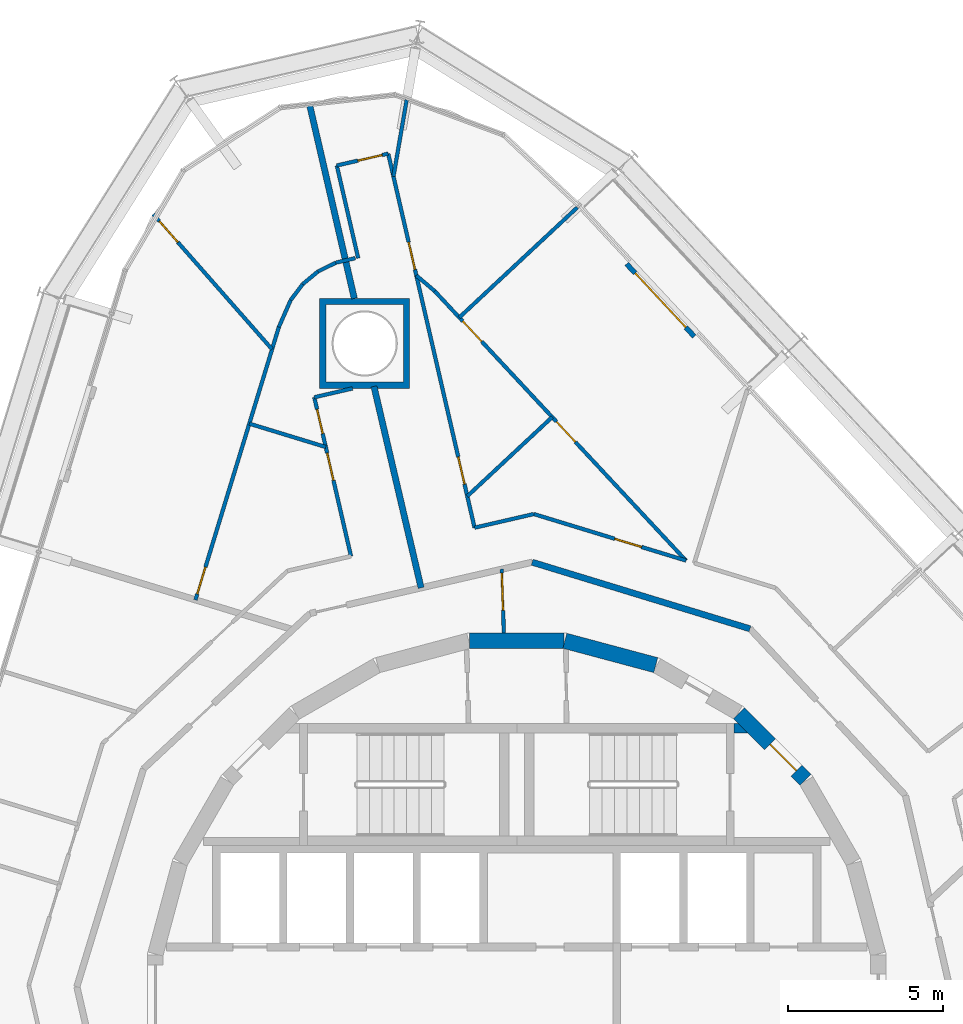
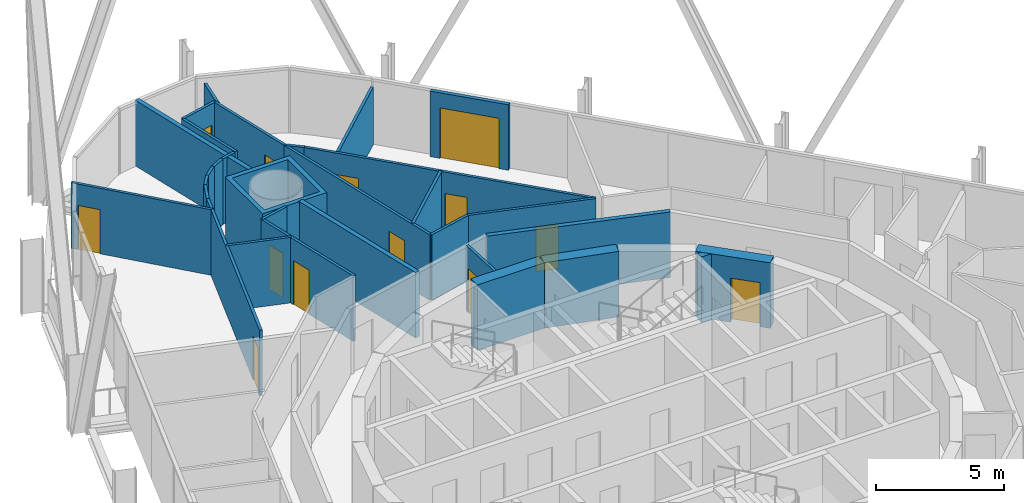
# One storey, part 16 of 18: 31 walls, 13 doors, 13 openings.
"""IFC4 building model written with IfcOpenShell, lengths in metres."""

from ifc_helpers import new_model, si_unit, direction, frame, frame_2d, origin, place, context, subcontext, project, spatial, polyline, rectangle, outline, extrude, material, layer, layer_set, type_object, element, fill, save


model = new_model("IFC4")

# Units and contexts
model_context = context("Model", 3, precision=1e-05, world=origin(), true_north=direction((0.0, 1.0)))
body_context = subcontext(model_context, "Body", "Model", "MODEL_VIEW")
ifc_project = project(units=[si_unit("LENGTHUNIT", "METRE"), si_unit("AREAUNIT", "SQUARE_METRE"), si_unit("VOLUMEUNIT", "CUBIC_METRE"), si_unit("PLANEANGLEUNIT", "RADIAN"), si_unit("MASSUNIT", "GRAM", prefix="KILO")], contexts=[model_context])

# Site, building, storey
site_placement = place(None, origin())
site = spatial("IfcSite", under=ifc_project, at=site_placement, CompositionType="ELEMENT")
building_placement = place(site_placement, origin())
building = spatial("IfcBuilding", under=site, at=building_placement, Name="Spindle Arch Residences", CompositionType="ELEMENT")
storey_placement = place(building_placement, frame((0.0, 0.0, 127.39990234375)))
storey = spatial("IfcBuildingStorey", under=building, at=storey_placement, Name="L31", CompositionType="ELEMENT", Elevation=127.39990234375)

# Wall, opening, door
ifc_material_1 = material(Name="Concrete C50/60", Category="concrete")
ifc_layer_1 = layer(ifc_material_1, 0.5)
ifc_layer_set_1 = layer_set([ifc_layer_1], Name="Core outline wall 500")
wall_type_1 = type_object("IfcWallType", Name="Core outline wall 500", PredefinedType="SHEAR", material=ifc_layer_set_1)
wall_1_placement = place(storey_placement, frame((9.30810546875, 7.163818359375, 0.0), z_axis=(0.0, 0.0, 1.0), x_axis=(-0.707106781187, 0.707106781187, 0.0)))
wall_1 = element("IfcWall", 1, at=wall_1_placement, inside=storey, type_object=wall_type_1, Name="Core outline wall 9", PredefinedType="SHEAR", context=body_context, shape_type="SweptSolid", body=[
    extrude(rectangle(XDim=3.032470703125, YDim=0.5, at=frame_2d((1.51611328125, 0.0))), origin(), (0.0, 0.0, 1.0), 3.1201171875),
])
opening_1_placement = place(wall_1_placement, frame((0.416259765625, 0.0, 0.0)))
opening_1 = element("IfcOpeningElement", 2, at=opening_1_placement, cuts=wall_1, Name="Opening R3B0-AD01", PredefinedType="OPENING", context=body_context, shape_type="SweptSolid", body=[
    extrude(rectangle(XDim=1.199951171875, YDim=2.10009765625, at=frame_2d((0.60009765625, 1.050048828125))), frame((0.0, 0.260009765625, 0.0), z_axis=(0.0, -1.0, 0.0), x_axis=(1.0, 0.0, 0.0)), (0.0, 0.0, 1.0), 0.52001953125),
])
ifc_material_2 = material(Name="Steel, fire-resisting door", Category="steel")
door_type_1 = type_object("IfcDoorType", Name="Stair airlock door 1200x2100", OperationType="SINGLE_SWING_LEFT", PredefinedType="DOOR", material=ifc_material_2)
door_1_placement = place(opening_1_placement, origin())
door_1 = element("IfcDoor", 3, at=door_1_placement, inside=storey, type_object=door_type_1, Name="Stair airlock door R3B0-AD01", OperationType="SINGLE_SWING_RIGHT", OverallHeight=2.10009765625, OverallWidth=1.199951171875, PredefinedType="DOOR", context=body_context, shape_type="SweptSolid", body=[
    extrude(rectangle(XDim=1.199951171875, YDim=2.10009765625, at=frame_2d((0.60009765625, 1.050048828125))), frame((0.0, 0.02490234375, 0.0), z_axis=(0.0, -1.0, 0.0), x_axis=(1.0, 0.0, 0.0)), (0.0, 0.0, 1.0), 0.050048828125),
])
fill(opening_1, door_1)

# Walls
for number, where, z_axis, x_axis, name in (
    (4, (4.479248046875, 10.858154296875, 0.0), (0.0, 0.0, 1.0), (-0.965948410781, 0.258734743916, 0.0), "Core outline wall 11"),
    (5, (1.516357421875, 11.647216796875, 0.0), (0.0, 0.0, 1.0), (-1.0, 0.0, 0.0), "Core outline wall 12"),
):
    element("IfcWall", number, at=place(storey_placement, frame(where, z_axis=z_axis, x_axis=x_axis)), inside=storey, type_object=wall_type_1, Name=name, PredefinedType="SHEAR", context=body_context, shape_type="SweptSolid", body=[
        extrude(rectangle(XDim=3.03271484375, YDim=0.5, at=frame_2d((1.516357421875, 0.0))), origin(), (0.0, 0.0, 1.0), 3.1201171875),
    ])

# Wall, opening, door
ifc_material_3 = material(Name="Plasterboard on steel studs", Category="steel")
ifc_layer_2 = layer(ifc_material_3, 0.1201171875)
ifc_layer_set_2 = layer_set([ifc_layer_2], Name="Corridor division wall 120")
wall_type_2 = type_object("IfcWallType", Name="Corridor division wall 120", PredefinedType="PARTITIONING", material=ifc_layer_set_2)
wall_2_placement = place(storey_placement, frame((-0.487060546875, 13.947998046875, 0.0), z_axis=(0.0, 0.0, 1.0), x_axis=(0.034859752231, -0.999392214135, 0.0)))
wall_2 = element("IfcWall", 6, at=wall_2_placement, inside=storey, type_object=wall_type_2, Name="Corridor division wall R3B0-W001", PredefinedType="PARTITIONING", context=body_context, shape_type="SweptSolid", body=[
    extrude(rectangle(XDim=2.052001953125, YDim=0.1201171875, at=frame_2d((1.02587890625, 0.0))), origin(), (0.0, 0.0, 1.0), 3.1201171875),
])
opening_2_placement = place(wall_2_placement, frame((0.125, 0.0, 0.0)))
opening_2 = element("IfcOpeningElement", 7, at=opening_2_placement, cuts=wall_2, Name="Opening R3B0-CD01", PredefinedType="OPENING", context=body_context, shape_type="SweptSolid", body=[
    extrude(rectangle(XDim=1.199951171875, YDim=2.10009765625, at=frame_2d((0.60009765625, 1.050048828125))), frame((0.0, 0.070068359375, 0.0), z_axis=(0.0, -1.0, 0.0), x_axis=(1.0, 0.0, 0.0)), (0.0, 0.0, 1.0), 0.14013671875),
])
ifc_material_4 = material(Name="Steel, fire-resisting door", Category="steel")
door_type_2 = type_object("IfcDoorType", Name="Corridor division door 1200x2100", OperationType="NOTDEFINED", PredefinedType="DOOR", material=ifc_material_4)
door_2_placement = place(opening_2_placement, origin())
door_2 = element("IfcDoor", 8, at=door_2_placement, inside=storey, type_object=door_type_2, Name="Corridor division door R3B0-CD01", OperationType="DOUBLE_DOOR_SINGLE_SWING", OverallHeight=2.10009765625, OverallWidth=1.199951171875, PredefinedType="DOOR", context=body_context, shape_type="SweptSolid", body=[
    extrude(rectangle(XDim=1.199951171875, YDim=2.10009765625, at=frame_2d((0.60009765625, 1.050048828125))), frame((0.0, 0.02490234375, 0.0), z_axis=(0.0, -1.0, 0.0), x_axis=(1.0, 0.0, 0.0)), (0.0, 0.0, 1.0), 0.050048828125),
])
fill(opening_2, door_2)

# Wall
ifc_material_5 = material(Name="Calcium silicate block, plastered")
ifc_layer_3 = layer(ifc_material_5, 0.199951171875)
ifc_layer_set_3 = layer_set([ifc_layer_3], Name="Corridor wall 200")
wall_type_3 = type_object("IfcWallType", Name="Corridor wall 200", PredefinedType="STANDARD", material=ifc_layer_set_3)
wall_3_placement = place(storey_placement, frame((7.51611328125, 12.028076171875, 0.0), z_axis=(0.0, 0.0, 1.0), x_axis=(-0.956306642771, 0.292365533182, 0.0)))
element("IfcWall", 9, at=wall_3_placement, inside=storey, type_object=wall_type_3, Name="Corridor wall R3B0-W006", PredefinedType="STANDARD", context=body_context, shape_type="SweptSolid", body=[
    extrude(rectangle(XDim=7.341796875, YDim=0.199951171875, at=frame_2d((3.6708984375, 0.0))), origin(), (0.0, 0.0, 1.0), 3.1201171875),
])

# Wall, opening, door
ifc_material_6 = material(Name="Plasterboard on steel studs", Category="steel")
ifc_layer_4 = layer(ifc_material_6, 0.1201171875)
ifc_layer_set_4 = layer_set([ifc_layer_4], Name="Flat partition 120")
wall_type_4 = type_object("IfcWallType", Name="Flat partition 120", PredefinedType="PARTITIONING", material=ifc_layer_set_4)
wall_4_placement = place(storey_placement, frame((5.45263671875, 14.2275390625, 0.0), z_axis=(0.0, 0.0, 1.0), x_axis=(-0.95630868333, 0.292358858576, 0.0)))
wall_4 = element("IfcWall", 10, at=wall_4_placement, inside=storey, type_object=wall_type_4, Name="Flat partition R3B0-W033", PredefinedType="PARTITIONING", context=body_context, shape_type="SweptSolid", body=[
    extrude(rectangle(XDim=5.12744140625, YDim=0.1201171875, at=frame_2d((2.563720703125, 0.0))), origin(), (0.0, 0.0, 1.0), 3.1201171875),
])
opening_3_placement = place(wall_4_placement, frame((1.5, 0.0, 0.0)))
opening_3 = element("IfcOpeningElement", 11, at=opening_3_placement, cuts=wall_4, Name="Opening R3B0-ID03", PredefinedType="OPENING", context=body_context, shape_type="SweptSolid", body=[
    extrude(rectangle(XDim=0.89990234375, YDim=2.10009765625, at=frame_2d((0.449951171875, 1.050048828125))), frame((0.0, 0.070068359375, 0.0), z_axis=(0.0, -1.0, 0.0), x_axis=(1.0, 0.0, 0.0)), (0.0, 0.0, 1.0), 0.14013671875),
])
ifc_material_7 = material(Name="Timber door set", Category="wood")
door_type_3 = type_object("IfcDoorType", Name="Room door 900x2100", OperationType="NOTDEFINED", PredefinedType="DOOR", material=ifc_material_7)
door_3_placement = place(opening_3_placement, origin())
door_3 = element("IfcDoor", 12, at=door_3_placement, inside=storey, type_object=door_type_3, Name="Room door R3B0-ID03", OperationType="SINGLE_SWING_RIGHT", OverallHeight=2.10009765625, OverallWidth=0.89990234375, PredefinedType="DOOR", context=body_context, shape_type="SweptSolid", body=[
    extrude(rectangle(XDim=0.89990234375, YDim=2.10009765625, at=frame_2d((0.449951171875, 1.050048828125))), frame((0.0, 0.02490234375, 0.0), z_axis=(0.0, -1.0, 0.0), x_axis=(1.0, 0.0, 0.0)), (0.0, 0.0, 1.0), 0.050048828125),
])
fill(opening_3, door_3)

# Wall
wall_5_placement = place(storey_placement, frame((0.54931640625, 15.7265625, 0.0), z_axis=(0.0, 0.0, 1.0), x_axis=(-0.974374390785, -0.22493231556, 0.0)))
element("IfcWall", 13, at=wall_5_placement, inside=storey, type_object=wall_type_4, Name="Flat partition R3B0-W034", PredefinedType="PARTITIONING", context=body_context, shape_type="SweptSolid", body=[
    extrude(rectangle(XDim=1.959228515625, YDim=0.1201171875, at=frame_2d((0.9794921875, 0.0))), origin(), (0.0, 0.0, 1.0), 3.1201171875),
])

# Wall, opening, door
wall_6_placement = place(storey_placement, frame((-1.359619140625, 15.285888671875, 0.0), z_axis=(0.0, 0.0, 1.0), x_axis=(-0.224974943676, 0.97436454919, 0.0)))
wall_6 = element("IfcWall", 14, at=wall_6_placement, inside=storey, type_object=wall_type_4, Name="Flat partition R3B0-W035", PredefinedType="PARTITIONING", context=body_context, shape_type="SweptSolid", body=[
    extrude(rectangle(XDim=8.3408203125, YDim=0.1201171875, at=frame_2d((4.17041015625, 0.0))), origin(), (0.0, 0.0, 1.0), 3.1201171875),
])
opening_4_placement = place(wall_6_placement, frame((1.441162109375, 0.0, 0.0)))
opening_4 = element("IfcOpeningElement", 15, at=opening_4_placement, cuts=wall_6, Name="Opening R3B0-ID05", PredefinedType="OPENING", context=body_context, shape_type="SweptSolid", body=[
    extrude(rectangle(XDim=0.89990234375, YDim=2.10009765625, at=frame_2d((0.449951171875, 1.050048828125))), frame((0.0, 0.070068359375, 0.0), z_axis=(0.0, -1.0, 0.0), x_axis=(1.0, 0.0, 0.0)), (0.0, 0.0, 1.0), 0.14013671875),
])
door_4_placement = place(opening_4_placement, origin())
door_4 = element("IfcDoor", 16, at=door_4_placement, inside=storey, type_object=door_type_3, Name="Room door R3B0-ID05", OperationType="SINGLE_SWING_RIGHT", OverallHeight=2.10009765625, OverallWidth=0.89990234375, PredefinedType="DOOR", context=body_context, shape_type="SweptSolid", body=[
    extrude(rectangle(XDim=0.89990234375, YDim=2.10009765625, at=frame_2d((0.449951171875, 1.050048828125))), frame((0.0, 0.02490234375, 0.0), z_axis=(0.0, -1.0, 0.0), x_axis=(1.0, 0.0, 0.0)), (0.0, 0.0, 1.0), 0.050048828125),
])
fill(opening_4, door_4)

wall_7_placement = place(storey_placement, frame((-3.236083984375, 23.412841796875, 0.0), z_axis=(0.0, 0.0, 1.0), x_axis=(-0.224934720918, 0.97437383551, 0.0)))
wall_7 = element("IfcWall", 17, at=wall_7_placement, inside=storey, type_object=wall_type_4, Name="Flat partition R3B0-W036", PredefinedType="PARTITIONING", context=body_context, shape_type="SweptSolid", body=[
    extrude(rectangle(XDim=4.030029296875, YDim=0.1201171875, at=frame_2d((2.01513671875, 0.0))), origin(), (0.0, 0.0, 1.0), 3.1201171875),
])
opening_5_placement = place(wall_7_placement, frame((0.199951171875, 0.0, 0.0)))
opening_5 = element("IfcOpeningElement", 18, at=opening_5_placement, cuts=wall_7, Name="Opening R3B0-ID04", PredefinedType="OPENING", context=body_context, shape_type="SweptSolid", body=[
    extrude(rectangle(XDim=0.89990234375, YDim=2.10009765625, at=frame_2d((0.449951171875, 1.050048828125))), frame((0.0, 0.070068359375, 0.0), z_axis=(0.0, -1.0, 0.0), x_axis=(1.0, 0.0, 0.0)), (0.0, 0.0, 1.0), 0.14013671875),
])
door_5_placement = place(opening_5_placement, origin())
door_5 = element("IfcDoor", 19, at=door_5_placement, inside=storey, type_object=door_type_3, Name="Room door R3B0-ID04", OperationType="SINGLE_SWING_LEFT", OverallHeight=2.10009765625, OverallWidth=0.89990234375, PredefinedType="DOOR", context=body_context, shape_type="SweptSolid", body=[
    extrude(rectangle(XDim=0.89990234375, YDim=2.10009765625, at=frame_2d((0.449951171875, 1.050048828125))), frame((0.0, 0.02490234375, 0.0), z_axis=(0.0, -1.0, 0.0), x_axis=(1.0, 0.0, 0.0)), (0.0, 0.0, 1.0), 0.050048828125),
])
fill(opening_5, door_5)

wall_8_placement = place(storey_placement, frame((-4.142578125, 27.339599609375, 0.0), z_axis=(0.0, 0.0, 1.0), x_axis=(-0.974345183359, -0.22505880046, 0.0)))
wall_8 = element("IfcWall", 20, at=wall_8_placement, inside=storey, type_object=wall_type_4, Name="Flat partition R3B0-W037", PredefinedType="PARTITIONING", context=body_context, shape_type="SweptSolid", body=[
    extrude(rectangle(XDim=1.699951171875, YDim=0.1201171875, at=frame_2d((0.85009765625, 0.0))), origin(), (0.0, 0.0, 1.0), 3.1201171875),
])
opening_6_placement = place(wall_8_placement, frame((0.199951171875, 0.0, 0.0)))
opening_6 = element("IfcOpeningElement", 21, at=opening_6_placement, cuts=wall_8, Name="Opening R3B0-BD01", PredefinedType="OPENING", context=body_context, shape_type="SweptSolid", body=[
    extrude(rectangle(XDim=0.800048828125, YDim=2.10009765625, at=frame_2d((0.39990234375, 1.050048828125))), frame((0.0, 0.070068359375, 0.0), z_axis=(0.0, -1.0, 0.0), x_axis=(1.0, 0.0, 0.0)), (0.0, 0.0, 1.0), 0.14013671875),
])
ifc_material_8 = material(Name="Timber door set", Category="wood")
door_type_4 = type_object("IfcDoorType", Name="Bathroom door 800x2100", OperationType="NOTDEFINED", PredefinedType="DOOR", material=ifc_material_8)
door_6_placement = place(opening_6_placement, origin())
door_6 = element("IfcDoor", 22, at=door_6_placement, inside=storey, type_object=door_type_4, Name="Bathroom door R3B0-BD01", OperationType="SINGLE_SWING_RIGHT", OverallHeight=2.10009765625, OverallWidth=0.800048828125, PredefinedType="DOOR", context=body_context, shape_type="SweptSolid", body=[
    extrude(rectangle(XDim=0.800048828125, YDim=2.10009765625, at=frame_2d((0.39990234375, 1.050048828125))), frame((0.0, 0.02490234375, 0.0), z_axis=(0.0, -1.0, 0.0), x_axis=(1.0, 0.0, 0.0)), (0.0, 0.0, 1.0), 0.050048828125),
])
fill(opening_6, door_6)

# Walls
wall_9_placement = place(storey_placement, frame((-5.798828125, 26.95703125, 0.0), z_axis=(0.0, 0.0, 1.0), x_axis=(0.224876960008, -0.974387167843, 0.0)))
element("IfcWall", 23, at=wall_9_placement, inside=storey, type_object=wall_type_4, Name="Flat partition R3B0-W038", PredefinedType="PARTITIONING", context=body_context, shape_type="SweptSolid", body=[
    extrude(rectangle(XDim=3.06494140625, YDim=0.1201171875, at=frame_2d((1.532470703125, 0.0))), origin(), (0.0, 0.0, 1.0), 3.1201171875),
])
wall_10_placement = place(storey_placement, frame((-5.204833984375, 23.97119140625, 0.0), z_axis=(0.0, 0.0, 1.0), x_axis=(-0.974410422398, -0.224776174722, 0.0)))
element("IfcWall", 24, at=wall_10_placement, inside=storey, type_object=wall_type_4, Name="Flat partition R3B0-W039", PredefinedType="PARTITIONING", context=body_context, shape_type="SweptSolid", body=[
    extrude(rectangle(XDim=0.641845703125, YDim=0.1201171875, at=frame_2d((0.32080078125, 0.0))), origin(), (0.0, 0.0, 1.0), 3.1201171875),
])

# Wall, openings, doors
wall_11_placement = place(storey_placement, frame((-2.6455078125, 22.91162109375, 0.0), z_axis=(0.0, 0.0, 1.0), x_axis=(0.68200318122, -0.731349205788, 0.0)))
wall_11 = element("IfcWall", 25, at=wall_11_placement, inside=storey, type_object=wall_type_4, Name="Flat partition R3B0-W042", PredefinedType="PARTITIONING", context=body_context, shape_type="SweptSolid", body=[
    extrude(rectangle(XDim=11.8740234375, YDim=0.1201171875, at=frame_2d((5.93701171875, 0.0))), origin(), (0.0, 0.0, 1.0), 3.1201171875),
])
opening_7_placement = place(wall_11_placement, frame((5.752197265625, 0.0, 0.0)))
opening_7 = element("IfcOpeningElement", 26, at=opening_7_placement, cuts=wall_11, Name="Opening R3B0-ID06", PredefinedType="OPENING", context=body_context, shape_type="SweptSolid", body=[
    extrude(rectangle(XDim=0.89990234375, YDim=2.10009765625, at=frame_2d((0.449951171875, 1.050048828125))), frame((0.0, 0.070068359375, 0.0), z_axis=(0.0, -1.0, 0.0), x_axis=(1.0, 0.0, 0.0)), (0.0, 0.0, 1.0), 0.14013671875),
])
opening_8_placement = place(wall_11_placement, frame((1.32421875, 0.0, 0.0)))
opening_8 = element("IfcOpeningElement", 27, at=opening_8_placement, cuts=wall_11, Name="Opening R3B0-ID07", PredefinedType="OPENING", context=body_context, shape_type="SweptSolid", body=[
    extrude(rectangle(XDim=0.89990234375, YDim=2.10009765625, at=frame_2d((0.449951171875, 1.050048828125))), frame((0.0, 0.070068359375, 0.0), z_axis=(0.0, -1.0, 0.0), x_axis=(1.0, 0.0, 0.0)), (0.0, 0.0, 1.0), 0.14013671875),
])
door_7_placement = place(opening_7_placement, origin())
door_7 = element("IfcDoor", 28, at=door_7_placement, inside=storey, type_object=door_type_3, Name="Room door R3B0-ID06", OperationType="SINGLE_SWING_RIGHT", OverallHeight=2.10009765625, OverallWidth=0.89990234375, PredefinedType="DOOR", context=body_context, shape_type="SweptSolid", body=[
    extrude(rectangle(XDim=0.89990234375, YDim=2.10009765625, at=frame_2d((0.449951171875, 1.050048828125))), frame((0.0, 0.02490234375, 0.0), z_axis=(0.0, -1.0, 0.0), x_axis=(1.0, 0.0, 0.0)), (0.0, 0.0, 1.0), 0.050048828125),
])
fill(opening_7, door_7)
door_8_placement = place(opening_8_placement, origin())
door_8 = element("IfcDoor", 29, at=door_8_placement, inside=storey, type_object=door_type_3, Name="Room door R3B0-ID07", OperationType="SINGLE_SWING_LEFT", OverallHeight=2.10009765625, OverallWidth=0.89990234375, PredefinedType="DOOR", context=body_context, shape_type="SweptSolid", body=[
    extrude(rectangle(XDim=0.89990234375, YDim=2.10009765625, at=frame_2d((0.449951171875, 1.050048828125))), frame((0.0, 0.02490234375, 0.0), z_axis=(0.0, -1.0, 0.0), x_axis=(1.0, 0.0, 0.0)), (0.0, 0.0, 1.0), 0.050048828125),
])
fill(opening_8, door_8)

# Walls
wall_12_placement = place(storey_placement, frame((1.14111328125, 18.850830078125, 0.0), z_axis=(0.0, 0.0, 1.0), x_axis=(-0.731352611136, -0.68199952946, 0.0)))
element("IfcWall", 30, at=wall_12_placement, inside=storey, type_object=wall_type_4, Name="Flat partition R3B0-W044", PredefinedType="PARTITIONING", context=body_context, shape_type="SweptSolid", body=[
    extrude(rectangle(XDim=3.73974609375, YDim=0.1201171875, at=frame_2d((1.869873046875, 0.0))), origin(), (0.0, 0.0, 1.0), 3.1201171875),
])
wall_13_placement = place(storey_placement, frame((-3.236083984375, 23.412841796875, 0.0), z_axis=(0.0, 0.0, 1.0), x_axis=(0.762429029489, -0.647071846855, 0.0)))
element("IfcWall", 31, at=wall_13_placement, inside=storey, type_object=wall_type_4, Name="Flat partition R3B0-W045", PredefinedType="PARTITIONING", context=body_context, shape_type="SweptSolid", body=[
    extrude(rectangle(XDim=0.774658203125, YDim=0.1201171875, at=frame_2d((0.38720703125, 0.0))), origin(), (0.0, 0.0, 1.0), 3.1201171875),
])
wall_14_placement = place(storey_placement, frame((-5.292724609375, 19.7734375, 0.0), z_axis=(0.0, 0.0, 1.0), x_axis=(-0.974391195695, -0.224859506699, 0.0)))
element("IfcWall", 32, at=wall_14_placement, inside=storey, type_object=wall_type_4, Name="Flat partition R3B0-W047", PredefinedType="PARTITIONING", context=body_context, shape_type="SweptSolid", body=[
    extrude(rectangle(XDim=1.263916015625, YDim=0.1201171875, at=frame_2d((0.6318359375, 0.0))), origin(), (0.0, 0.0, 1.0), 3.1201171875),
])

# Wall, openings, doors
wall_15_placement = place(storey_placement, frame((-6.524169921875, 19.4892578125, 0.0), z_axis=(0.0, 0.0, 1.0), x_axis=(0.22494768659, -0.974370842286, 0.0)))
wall_15 = element("IfcWall", 33, at=wall_15_placement, inside=storey, type_object=wall_type_4, Name="Flat partition R3B0-W048", PredefinedType="PARTITIONING", context=body_context, shape_type="SweptSolid", body=[
    extrude(rectangle(XDim=5.25732421875, YDim=0.1201171875, at=frame_2d((2.628662109375, 0.0))), origin(), (0.0, 0.0, 1.0), 3.1201171875),
])
opening_9_placement = place(wall_15_placement, frame((0.39990234375, 0.0, 0.0)))
opening_9 = element("IfcOpeningElement", 34, at=opening_9_placement, cuts=wall_15, Name="Opening R3B0-BD02", PredefinedType="OPENING", context=body_context, shape_type="SweptSolid", body=[
    extrude(rectangle(XDim=0.800048828125, YDim=2.10009765625, at=frame_2d((0.39990234375, 1.050048828125))), frame((0.0, 0.070068359375, 0.0), z_axis=(0.0, -1.0, 0.0), x_axis=(1.0, 0.0, 0.0)), (0.0, 0.0, 1.0), 0.14013671875),
])
opening_10_placement = place(wall_15_placement, frame((1.84619140625, 0.0, 0.0)))
opening_10 = element("IfcOpeningElement", 35, at=opening_10_placement, cuts=wall_15, Name="Opening R3B0-ID08", PredefinedType="OPENING", context=body_context, shape_type="SweptSolid", body=[
    extrude(rectangle(XDim=0.89990234375, YDim=2.10009765625, at=frame_2d((0.449951171875, 1.050048828125))), frame((0.0, 0.070068359375, 0.0), z_axis=(0.0, -1.0, 0.0), x_axis=(1.0, 0.0, 0.0)), (0.0, 0.0, 1.0), 0.14013671875),
])
door_9_placement = place(opening_9_placement, origin())
door_9 = element("IfcDoor", 36, at=door_9_placement, inside=storey, type_object=door_type_4, Name="Bathroom door R3B0-BD02", OperationType="SINGLE_SWING_LEFT", OverallHeight=2.10009765625, OverallWidth=0.800048828125, PredefinedType="DOOR", context=body_context, shape_type="SweptSolid", body=[
    extrude(rectangle(XDim=0.800048828125, YDim=2.10009765625, at=frame_2d((0.39990234375, 1.050048828125))), frame((0.0, 0.02490234375, 0.0), z_axis=(0.0, -1.0, 0.0), x_axis=(1.0, 0.0, 0.0)), (0.0, 0.0, 1.0), 0.050048828125),
])
fill(opening_9, door_9)
door_10_placement = place(opening_10_placement, origin())
door_10 = element("IfcDoor", 37, at=door_10_placement, inside=storey, type_object=door_type_3, Name="Room door R3B0-ID08", OperationType="SINGLE_SWING_LEFT", OverallHeight=2.10009765625, OverallWidth=0.89990234375, PredefinedType="DOOR", context=body_context, shape_type="SweptSolid", body=[
    extrude(rectangle(XDim=0.89990234375, YDim=2.10009765625, at=frame_2d((0.449951171875, 1.050048828125))), frame((0.0, 0.02490234375, 0.0), z_axis=(0.0, -1.0, 0.0), x_axis=(1.0, 0.0, 0.0)), (0.0, 0.0, 1.0), 0.050048828125),
])
fill(opening_10, door_10)

# Wall, opening, door
wall_16_placement = place(storey_placement, frame((-10.35400390625, 12.9609375, 0.0), z_axis=(0.0, 0.0, 1.0), x_axis=(0.292379778045, 0.956302287663, 0.0)))
wall_16 = element("IfcWall", 38, at=wall_16_placement, inside=storey, type_object=wall_type_4, Name="Flat partition R3B0-W051", PredefinedType="PARTITIONING", context=body_context, shape_type="SweptSolid", body=[
    extrude(rectangle(XDim=9.193603515625, YDim=0.1201171875, at=frame_2d((4.5966796875, 0.0))), origin(), (0.0, 0.0, 1.0), 3.1201171875),
])
opening_11_placement = place(wall_16_placement, frame((0.199951171875, 0.0, 0.0)))
opening_11 = element("IfcOpeningElement", 39, at=opening_11_placement, cuts=wall_16, Name="Opening R3B0-ID09", PredefinedType="OPENING", context=body_context, shape_type="SweptSolid", body=[
    extrude(rectangle(XDim=0.89990234375, YDim=2.10009765625, at=frame_2d((0.449951171875, 1.050048828125))), frame((0.0, 0.070068359375, 0.0), z_axis=(0.0, -1.0, 0.0), x_axis=(1.0, 0.0, 0.0)), (0.0, 0.0, 1.0), 0.14013671875),
])
door_11_placement = place(opening_11_placement, origin())
door_11 = element("IfcDoor", 40, at=door_11_placement, inside=storey, type_object=door_type_3, Name="Room door R3B0-ID09", OperationType="SINGLE_SWING_LEFT", OverallHeight=2.10009765625, OverallWidth=0.89990234375, PredefinedType="DOOR", context=body_context, shape_type="SweptSolid", body=[
    extrude(rectangle(XDim=0.89990234375, YDim=2.10009765625, at=frame_2d((0.449951171875, 1.050048828125))), frame((0.0, 0.02490234375, 0.0), z_axis=(0.0, -1.0, 0.0), x_axis=(1.0, 0.0, 0.0)), (0.0, 0.0, 1.0), 0.050048828125),
])
fill(opening_11, door_11)

# Walls
wall_17_placement = place(storey_placement, frame((-7.666015625, 21.752685546875, 0.0), z_axis=(0.0, 0.0, 1.0), x_axis=(0.401562829944, 0.915831476642, 0.0)))
element("IfcWall", 41, at=wall_17_placement, inside=storey, type_object=wall_type_4, Name="Flat partition R3B0-W052", PredefinedType="PARTITIONING", context=body_context, shape_type="SweptSolid", body=[
    extrude(rectangle(XDim=0.946533203125, YDim=0.1201171875, at=frame_2d((0.47314453125, 0.0))), origin(), (0.0, 0.0, 1.0), 3.1201171875),
])
wall_18_placement = place(storey_placement, frame((-7.285888671875, 22.61962890625, 0.0), z_axis=(0.0, 0.0, 1.0), x_axis=(0.601702575527, 0.798720233, 0.0)))
element("IfcWall", 42, at=wall_18_placement, inside=storey, type_object=wall_type_4, Name="Flat partition R3B0-W053", PredefinedType="PARTITIONING", context=body_context, shape_type="SweptSolid", body=[
    extrude(rectangle(XDim=0.641845703125, YDim=0.1201171875, at=frame_2d((0.32080078125, 0.0))), origin(), (0.0, 0.0, 1.0), 3.1201171875),
])
wall_19_placement = place(storey_placement, frame((-6.899658203125, 23.13232421875, 0.0), z_axis=(0.0, 0.0, 1.0), x_axis=(0.769653132962, 0.638462258025, 0.0)))
element("IfcWall", 43, at=wall_19_placement, inside=storey, type_object=wall_type_4, Name="Flat partition R3B0-W054", PredefinedType="PARTITIONING", context=body_context, shape_type="SweptSolid", body=[
    extrude(rectangle(XDim=0.64208984375, YDim=0.1201171875, at=frame_2d((0.321044921875, 0.0))), origin(), (0.0, 0.0, 1.0), 3.1201171875),
])
wall_20_placement = place(storey_placement, frame((-6.405517578125, 23.542236328125, 0.0), z_axis=(0.0, 0.0, 1.0), x_axis=(0.896245703043, 0.44355793283, 0.0)))
element("IfcWall", 44, at=wall_20_placement, inside=storey, type_object=wall_type_4, Name="Flat partition R3B0-W055", PredefinedType="PARTITIONING", context=body_context, shape_type="SweptSolid", body=[
    extrude(rectangle(XDim=0.641845703125, YDim=0.1201171875, at=frame_2d((0.32080078125, 0.0))), origin(), (0.0, 0.0, 1.0), 3.1201171875),
])

# Wall, opening, door
wall_21_placement = place(storey_placement, frame((-11.71337890625, 25.385009765625, 0.0), z_axis=(0.0, 0.0, 1.0), x_axis=(0.660694383024, -0.750655002142, 0.0)))
wall_21 = element("IfcWall", 45, at=wall_21_placement, inside=storey, type_object=wall_type_4, Name="Flat partition R3B0-W056", PredefinedType="PARTITIONING", context=body_context, shape_type="SweptSolid", body=[
    extrude(rectangle(XDim=5.794189453125, YDim=0.1201171875, at=frame_2d((2.89697265625, 0.0))), origin(), (0.0, 0.0, 1.0), 3.1201171875),
])
opening_12_placement = place(wall_21_placement, frame((0.300048828125, 0.0, 0.0)))
opening_12 = element("IfcOpeningElement", 46, at=opening_12_placement, cuts=wall_21, Name="Opening R3B0-ID10", PredefinedType="OPENING", context=body_context, shape_type="SweptSolid", body=[
    extrude(rectangle(XDim=0.89990234375, YDim=2.10009765625, at=frame_2d((0.449951171875, 1.050048828125))), frame((0.0, 0.070068359375, 0.0), z_axis=(0.0, -1.0, 0.0), x_axis=(1.0, 0.0, 0.0)), (0.0, 0.0, 1.0), 0.14013671875),
])
door_12_placement = place(opening_12_placement, origin())
door_12 = element("IfcDoor", 47, at=door_12_placement, inside=storey, type_object=door_type_3, Name="Room door R3B0-ID10", OperationType="SINGLE_SWING_LEFT", OverallHeight=2.10009765625, OverallWidth=0.89990234375, PredefinedType="DOOR", context=body_context, shape_type="SweptSolid", body=[
    extrude(rectangle(XDim=0.89990234375, YDim=2.10009765625, at=frame_2d((0.449951171875, 1.050048828125))), frame((0.0, 0.02490234375, 0.0), z_axis=(0.0, -1.0, 0.0), x_axis=(1.0, 0.0, 0.0)), (0.0, 0.0, 1.0), 0.050048828125),
])
fill(opening_12, door_12)

# Walls
wall_22_placement = place(storey_placement, frame((-8.6181640625, 18.638671875, 0.0), z_axis=(0.0, 0.0, 1.0), x_axis=(0.956305961168, -0.292367762647, 0.0)))
element("IfcWall", 48, at=wall_22_placement, inside=storey, type_object=wall_type_4, Name="Flat partition R3B0-W057", PredefinedType="PARTITIONING", context=body_context, shape_type="SweptSolid", body=[
    extrude(rectangle(XDim=2.576904296875, YDim=0.1201171875, at=frame_2d((1.28857421875, 0.0))), origin(), (0.0, 0.0, 1.0), 3.1201171875),
])
ifc_material_9 = material(Name="Plasterboard on steel studs", Category="steel")
ifc_layer_5 = layer(ifc_material_9, 0.1201171875)
ifc_layer_set_5 = layer_set([ifc_layer_5], Name="Flat partition 120 under beam 2730")
wall_type_5 = type_object("IfcWallType", Name="Flat partition 120 under beam 2730", PredefinedType="PARTITIONING", material=ifc_layer_set_5)
wall_23_placement = place(storey_placement, frame((1.951416015625, 25.606689453125, 0.0), z_axis=(0.0, 0.0, 1.0), x_axis=(-0.73134872518, -0.682003696601, 0.0)))
element("IfcWall", 49, at=wall_23_placement, inside=storey, type_object=wall_type_5, Name="Flat partition R3B0-W043", PredefinedType="PARTITIONING", context=body_context, shape_type="SweptSolid", body=[
    extrude(rectangle(XDim=5.199951171875, YDim=0.1201171875, at=frame_2d((2.60009765625, 0.0))), origin(), (0.0, 0.0, 1.0), 2.72998046875),
])
wall_24_placement = place(storey_placement, frame((-3.5478515625, 29.072265625, 0.0), z_axis=(0.0, 0.0, 1.0), x_axis=(-0.169756715849, -0.985486000623, 0.0)))
element("IfcWall", 50, at=wall_24_placement, inside=storey, type_object=wall_type_5, Name="Flat partition R3B0-W046", PredefinedType="PARTITIONING", context=body_context, shape_type="SweptSolid", body=[
    extrude(rectangle(XDim=2.50390625, YDim=0.1201171875, at=frame_2d((1.251953125, 0.0))), origin(), (0.0, 0.0, 1.0), 2.72998046875),
])
ifc_material_10 = material(Name="Calcium silicate block, plastered")
ifc_layer_6 = layer(ifc_material_10, 0.199951171875)
ifc_layer_set_6 = layer_set([ifc_layer_6], Name="Flat party wall 200")
wall_type_6 = type_object("IfcWallType", Name="Flat party wall 200", PredefinedType="STANDARD", material=ifc_layer_set_6)
wall_25_placement = place(storey_placement, frame((-4.601806640625, 19.8388671875, 0.0), z_axis=(0.0, 0.0, 1.0), x_axis=(0.227891855607, -0.973686449607, 0.0)))
element("IfcWall", 51, at=wall_25_placement, inside=storey, type_object=wall_type_6, Name="Flat party wall R3B0-W016", PredefinedType="STANDARD", context=body_context, shape_type="SweptSolid", body=[
    extrude(rectangle(XDim=6.66552734375, YDim=0.199951171875, at=frame_2d((3.332763671875, 0.0))), origin(), (0.0, 0.0, 1.0), 3.1201171875),
])
wall_26_placement = place(storey_placement, frame((-6.687255859375, 28.9658203125, 0.0), z_axis=(0.0, 0.0, 1.0), x_axis=(0.224945100086, -0.974371439415, 0.0)))
element("IfcWall", 52, at=wall_26_placement, inside=storey, type_object=wall_type_6, Name="Flat party wall R3B0-W017", PredefinedType="STANDARD", context=body_context, shape_type="SweptSolid", body=[
    extrude(rectangle(XDim=6.457763671875, YDim=0.199951171875, at=frame_2d((3.22900390625, 0.0))), origin(), (0.0, 0.0, 1.0), 3.1201171875),
])

# Wall, opening, door
ifc_material_11 = material(Name="Non-combustible mineral wool insulated aluminium faced external wall (K0)", Category="aluminium")
ifc_layer_7 = layer(ifc_material_11, 0.159912109375)
ifc_layer_set_7 = layer_set([ifc_layer_7], Name="Insulated external wall panel 160")
wall_type_7 = type_object("IfcWallType", Name="Insulated external wall panel 160", PredefinedType="STANDARD", material=ifc_layer_set_7)
wall_27_placement = place(storey_placement, frame((5.72216796875, 21.44580078125, 0.0), z_axis=(0.0, 0.0, 1.0), x_axis=(-0.681994703002, 0.731357111866, 0.0)))
wall_27 = element("IfcWall", 53, at=wall_27_placement, inside=storey, type_object=wall_type_7, Name="External wall L31 bay 9", PredefinedType="STANDARD", context=body_context, shape_type="SweptSolid", body=[
    extrude(rectangle(XDim=3.199951171875, YDim=0.159912109375, at=frame_2d((1.60009765625, 0.0))), origin(), (0.0, 0.0, 1.0), 3.1201171875),
])
opening_13_placement = place(wall_27_placement, frame((0.39990234375, 0.0, 0.0)))
opening_13 = element("IfcOpeningElement", 54, at=opening_13_placement, cuts=wall_27, Name="Opening BD09", PredefinedType="OPENING", context=body_context, shape_type="SweptSolid", body=[
    extrude(rectangle(XDim=2.39990234375, YDim=2.39990234375, at=frame_2d((1.199951171875, 1.199951171875))), frame((0.0, 0.08984375, 0.0), z_axis=(0.0, -1.0, 0.0), x_axis=(1.0, 0.0, 0.0)), (0.0, 0.0, 1.0), 0.179931640625),
])
ifc_material_12 = material(Name="Bronze aluminium frame, tinted double glazing", Category="aluminium")
door_type_5 = type_object("IfcDoorType", Name="Sliding glazed balcony door 2400x2400", OperationType="DOUBLE_DOOR_SLIDING", PredefinedType="DOOR", material=ifc_material_12)
door_13_placement = place(opening_13_placement, origin())
door_13 = element("IfcDoor", 55, at=door_13_placement, inside=storey, type_object=door_type_5, Name="Balcony door BD09", OperationType="DOUBLE_DOOR_SLIDING", OverallHeight=2.39990234375, OverallWidth=2.39990234375, PredefinedType="DOOR", context=body_context, shape_type="SweptSolid", body=[
    extrude(rectangle(XDim=2.39990234375, YDim=2.39990234375, at=frame_2d((1.199951171875, 1.199951171875))), frame((0.0, 0.02490234375, 0.0), z_axis=(0.0, -1.0, 0.0), x_axis=(1.0, 0.0, 0.0)), (0.0, 0.0, 1.0), 0.050048828125),
])
fill(opening_13, door_13)

# Walls
ifc_material_13 = material(Name="Calcium silicate block, plastered")
ifc_layer_8 = layer(ifc_material_13, 0.199951171875)
ifc_layer_set_8 = layer_set([ifc_layer_8], Name="Mega-column casing wall 200")
wall_type_8 = type_object("IfcWallType", Name="Mega-column casing wall 200", PredefinedType="STANDARD", material=ifc_layer_set_8)
wall_28_placement = place(storey_placement, origin())
element("IfcWall", 56, at=wall_28_placement, inside=storey, type_object=wall_type_8, Name="Mega-column casing wall R3B0-WC01", PredefinedType="STANDARD", context=body_context, shape_type="SweptSolid", body=[
    extrude(outline(polyline([(-3.44970703125, 22.673583984375), (-3.44970703125, 19.7734375), (-6.349853515625, 19.7734375), (-6.349853515625, 22.673583984375), (-3.44970703125, 22.673583984375)]), holes=[polyline([(-6.14990234375, 19.973388671875), (-3.64990234375, 19.973388671875), (-3.64990234375, 22.473388671875), (-6.14990234375, 22.473388671875), (-6.14990234375, 19.973388671875)])]), origin(), (0.0, 0.0, 1.0), 3.1201171875),
])
ifc_material_14 = material(Name="Concrete C40/50", Category="concrete")
wall_type_9 = type_object("IfcWallType", Name="Stair airlock wall profile", PredefinedType="SHEAR", material=ifc_material_14)
wall_29_placement = place(storey_placement, origin())
element("IfcWall", 57, at=wall_29_placement, inside=storey, type_object=wall_type_9, Name="Stair ST-1 airlock wall N", PredefinedType="SHEAR", context=body_context, shape_type="SweptSolid", body=[
    extrude(outline(polyline([(7.4482421875, 8.669921875), (7.0, 8.669921875), (7.0, 8.969970703125), (7.148193359375, 8.969970703125), (7.4482421875, 8.669921875)])), origin(), (0.0, 0.0, 1.0), 3.1201171875),
])

save(model, "model.ifc")
